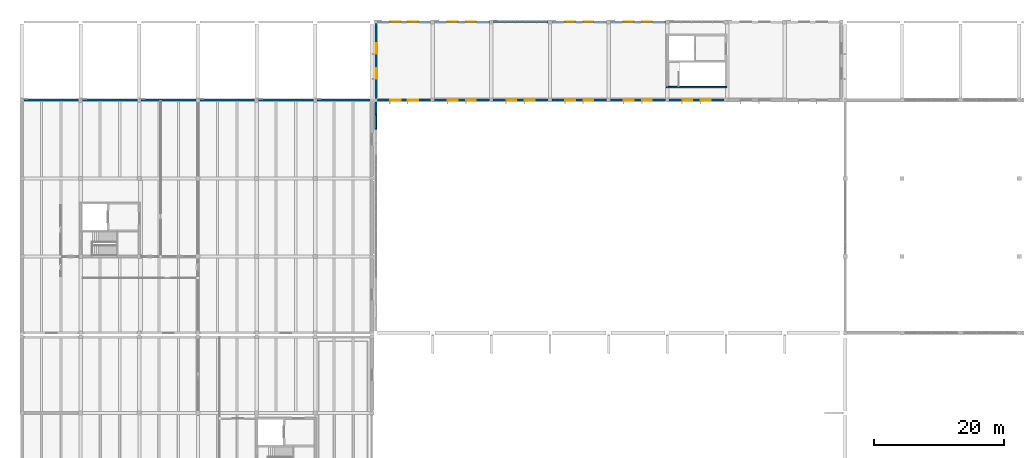
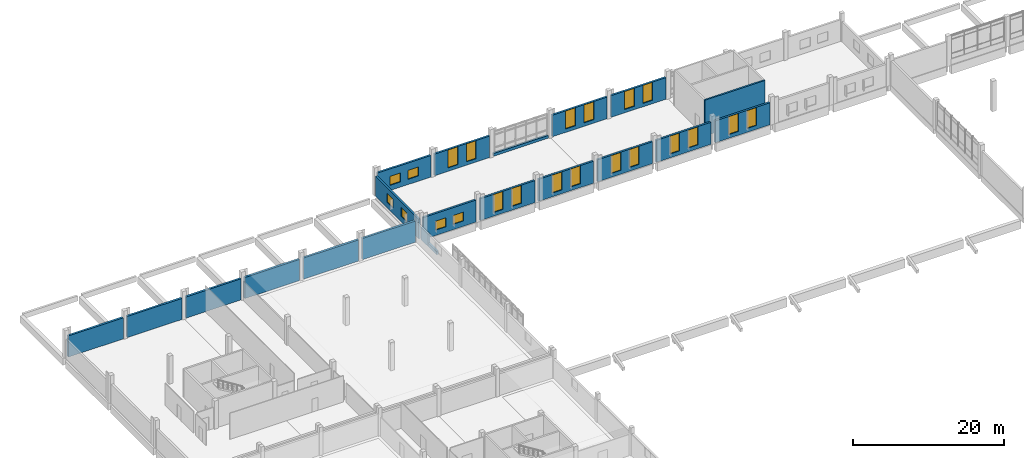
# One storey, part 45 of 63: 22 windows, 21 walls, 22 openings.
"""IFC4 building model written with IfcOpenShell, lengths in metres."""

import ifcopenshell
import ifcopenshell.guid

model = None  # the IFC model being written
_history = None  # IfcOwnerHistory: only IFC2X3 demands one
_inside = {}  # id of a spatial element -> (the spatial element, [elements in it])
_under = {}  # id of a project, library or spatial element -> (it, [spatial elements below it])
_declared = {}  # id of a project -> (the project, [libraries it declares])
_typed = {}  # id of a type object -> (the type object, [elements of that type])
_made_of = {}  # id of a material, layer set ... -> (it, [elements and type objects made of it])


def new_model(schema):
    """Start an empty IFC model of exactly this schema.

    Asked for "IFC4X3", IfcOpenShell would pick the latest addendum, in which some entities
    have other attributes; the version numbers below select the first issue.
    IFC2X3 requires an IfcOwnerHistory on every rooted entity: one is made here for all.
    """
    global model, _history
    if schema == "IFC4X3":
        model = ifcopenshell.file(schema_version=(4, 3, 0, 0))
    else:
        model = ifcopenshell.file(schema=schema)
    _inside.clear()
    _under.clear()
    _declared.clear()
    _typed.clear()
    _made_of.clear()
    _history = None
    if model.schema == "IFC2X3":
        org = make("IfcOrganization", Name="unknown")
        user = make(
            "IfcPersonAndOrganization",
            ThePerson=make("IfcPerson", FamilyName="unknown"),
            TheOrganization=org,
        )
        app = make(
            "IfcApplication",
            ApplicationDeveloper=org,
            Version="unknown",
            ApplicationFullName="unknown",
            ApplicationIdentifier="unknown",
        )
        _history = make(
            "IfcOwnerHistory",
            OwningUser=user,
            OwningApplication=app,
            ChangeAction="ADDED",
            CreationDate=0,
        )
    return model


def make(cls, **values):
    """One entity of the class cls with the attributes given. An attribute that is None is left unset."""
    return model.create_entity(
        cls, **{name: value for name, value in values.items() if value is not None}
    )


def rooted(cls, **values):
    """An entity with a GlobalId (a new one), such as an element, a storey or a relation."""
    return make(cls, GlobalId=ifcopenshell.guid.new(), OwnerHistory=_history, **values)


def si_unit(unit_type, name, prefix=None):
    """IfcSIUnit, for example si_unit("LENGTHUNIT", "METRE", prefix="MILLI")."""
    return make("IfcSIUnit", UnitType=unit_type, Prefix=prefix, Name=name)


def assignment(units):
    """IfcUnitAssignment: the units of a project."""
    return None if units is None else make("IfcUnitAssignment", Units=units)


def point(xyz):
    """IfcCartesianPoint."""
    return None if xyz is None else make("IfcCartesianPoint", Coordinates=xyz)


def direction(xyz):
    """IfcDirection."""
    return None if xyz is None else make("IfcDirection", DirectionRatios=xyz)


def frame(location, z_axis=None, x_axis=None):
    """IfcAxis2Placement3D, a coordinate frame: its origin and axes. An axis left out is left unset."""
    return make(
        "IfcAxis2Placement3D",
        Location=point(location),
        Axis=direction(z_axis),
        RefDirection=direction(x_axis),
    )


def frame_2d(location, x_axis=None):
    """IfcAxis2Placement2D, a coordinate frame in the plane: its origin and x axis."""
    return make(
        "IfcAxis2Placement2D", Location=point(location), RefDirection=direction(x_axis)
    )


def origin():
    """The frame at (0, 0, 0) with its axes left unset."""
    return frame((0.0, 0.0, 0.0))


def place(relative_to, where):
    """IfcLocalPlacement: puts the frame where relative to a parent placement (None: the world)."""
    return make(
        "IfcLocalPlacement", PlacementRelTo=relative_to, RelativePlacement=where
    )


def context(
    kind, dimensions, precision=None, world=None, true_north=None, identifier=None
):
    """IfcGeometricRepresentationContext, for example the 3D "Model" context."""
    return make(
        "IfcGeometricRepresentationContext",
        ContextIdentifier=identifier,
        ContextType=kind,
        CoordinateSpaceDimension=dimensions,
        Precision=precision,
        WorldCoordinateSystem=world,
        TrueNorth=true_north,
    )


def subcontext(parent, identifier, kind, view, scale=None):
    """IfcGeometricRepresentationSubContext, for example "Body" below "Model"."""
    return make(
        "IfcGeometricRepresentationSubContext",
        ContextIdentifier=identifier,
        ContextType=kind,
        ParentContext=parent,
        TargetScale=scale,
        TargetView=view,
    )


def project(units=None, contexts=None):
    """IfcProject with its units and contexts."""
    return rooted(
        "IfcProject",
        Name="project",
        RepresentationContexts=contexts,
        UnitsInContext=assignment(units),
    )


def spatial(cls, under=None, at=None, **own):
    """A site, building, storey or space (cls), placed at a placement, below another one or the project."""
    s = rooted(cls, ObjectPlacement=at, **own)
    if under is not None:
        _under.setdefault(under.id(), (under, []))[1].append(s)
    return s


def profile(cls, at=None, kind="AREA", **sizes):
    """A parametric profile (cls). Its sizes go by their IFC names, for example OverallWidth=200.0."""
    return make(cls, ProfileType=kind, Position=at, **sizes)


def rectangle(**sizes):
    """IfcRectangleProfileDef."""
    return profile("IfcRectangleProfileDef", **sizes)


def extrude(swept, where, along, depth):
    """IfcExtrudedAreaSolid: the profile swept, set in the frame where, extruded along a direction by depth."""
    return make(
        "IfcExtrudedAreaSolid",
        SweptArea=swept,
        Position=where,
        ExtrudedDirection=direction(along),
        Depth=depth,
    )


def shape(context_of_items, identifier, shape_type, items):
    """IfcShapeRepresentation: the items that make up one representation, for example the "Body"."""
    return make(
        "IfcShapeRepresentation",
        ContextOfItems=context_of_items,
        RepresentationIdentifier=identifier,
        RepresentationType=shape_type,
        Items=items,
    )


def material(Name=None, Category=None):
    """IfcMaterial."""
    return make("IfcMaterial", Name=Name, Category=Category)


def layer(
    of_material, thickness, ventilated=None, Name=None, Category=None, Priority=None
):
    """IfcMaterialLayer: one layer of a wall or slab, of a material (None: an air gap)."""
    return make(
        "IfcMaterialLayer",
        Material=of_material,
        LayerThickness=thickness,
        IsVentilated=ventilated,
        Name=Name,
        Category=Category,
        Priority=Priority,
    )


def layer_set(layers, Name=None):
    """IfcMaterialLayerSet."""
    return make("IfcMaterialLayerSet", MaterialLayers=layers, LayerSetName=Name)


def made_of(thing, what):
    """Note that an element or type object is made of a material, layer set ...; save() writes the relation."""
    if what is not None:
        _made_of.setdefault(what.id(), (what, []))[1].append(thing)
    return thing


def type_object(cls, material=None, **own):
    """A type object (cls), such as IfcWallType, which elements share."""
    return made_of(rooted(cls, **own), material)


def element(
    cls,
    number,
    at=None,
    inside=None,
    cuts=None,
    type_object=None,
    material=None,
    context=None,
    identifier="Body",
    shape_type=None,
    held_by="IfcProductDefinitionShape",
    body=None,
    shapes=None,
    **own,
):
    """One element of the class cls, such as IfcWall. Its Tag is "e" and its number.

    at: its placement. inside: the storey or other place that contains it. cuts: it is an
    opening in that element (IfcRelVoidsElement). A single representation is given by context,
    identifier, shape_type and body (its items); several are given by shapes. held_by: the class
    of the entity that holds the representations. save() writes the other relations.
    """
    e = rooted(cls, Tag="e%d" % number, ObjectPlacement=at, **own)
    if body is not None:
        shapes = [shape(context, identifier, shape_type, body)]
    if shapes is not None:
        e.Representation = make(held_by, Representations=shapes)
    if inside is not None:
        _inside.setdefault(inside.id(), (inside, []))[1].append(e)
    if cuts is not None:
        rooted(
            "IfcRelVoidsElement", RelatingBuildingElement=cuts, RelatedOpeningElement=e
        )
    if type_object is not None:
        _typed.setdefault(type_object.id(), (type_object, []))[1].append(e)
    return made_of(e, material)


def fill(opening, filler):
    """IfcRelFillsElement: the door or window that sits in an opening."""
    return rooted(
        "IfcRelFillsElement",
        RelatingOpeningElement=opening,
        RelatedBuildingElement=filler,
    )


def aggregate(whole, parts):
    """IfcRelAggregates: a whole, such as a stair, and the parts it consists of."""
    return rooted("IfcRelAggregates", RelatingObject=whole, RelatedObjects=parts)


def save(model, path):
    """Write the relations noted so far, then the file.

    IfcRelAggregates (storeys below a building ...), IfcRelContainedInSpatialStructure (elements
    in a storey), IfcRelDefinesByType, IfcRelAssociatesMaterial and IfcRelDeclares: one each for
    every whole, place, type object, material and project.
    """
    for whole, parts in _under.values():
        aggregate(whole, parts)
    for where, things in _inside.values():
        rooted(
            "IfcRelContainedInSpatialStructure",
            RelatedElements=things,
            RelatingStructure=where,
        )
    for kind, things in _typed.values():
        rooted("IfcRelDefinesByType", RelatedObjects=things, RelatingType=kind)
    for what, things in _made_of.values():
        rooted("IfcRelAssociatesMaterial", RelatedObjects=things, RelatingMaterial=what)
    for by, libraries in _declared.values():
        rooted("IfcRelDeclares", RelatingContext=by, RelatedDefinitions=libraries)
    model.write(path)


model = new_model("IFC4")

# Units and contexts
model_context = context("Model", 3, precision=1e-05, world=origin(), true_north=direction((0.0, 1.0)))
body_context = subcontext(model_context, "Body", "Model", "MODEL_VIEW")
ifc_project = project(units=[si_unit("LENGTHUNIT", "METRE"), si_unit("AREAUNIT", "SQUARE_METRE"), si_unit("VOLUMEUNIT", "CUBIC_METRE"), si_unit("PLANEANGLEUNIT", "RADIAN"), si_unit("MASSUNIT", "GRAM", prefix="KILO")], contexts=[model_context])

# Site, building, storey
site_placement = place(None, origin())
site = spatial("IfcSite", under=ifc_project, at=site_placement, CompositionType="ELEMENT")
building_placement = place(site_placement, origin())
building = spatial("IfcBuilding", under=site, at=building_placement, Name="Zacnel Wholesale Market", CompositionType="ELEMENT")
storey_placement = place(building_placement, frame((0.0, 0.0, 11.199951171875)))
storey = spatial("IfcBuildingStorey", under=building, at=storey_placement, Name="L03", CompositionType="ELEMENT", Elevation=11.199951171875)

# Walls
ifc_material_1 = material(Name="Concrete C40/50", Category="concrete")
ifc_layer_1 = layer(ifc_material_1, 0.25)
ifc_layer_set_1 = layer_set([ifc_layer_1], Name="Concrete C40/50")
wall_type_1 = type_object("IfcWallType", Name="WL-CORE-SW250", PredefinedType="SOLIDWALL", material=ifc_layer_set_1)
wall_1_placement = place(storey_placement, frame((116.875, 134.0, 0.0), z_axis=(0.0, 0.0, 1.0), x_axis=(1.0, 0.0, 0.0)))
element("IfcWall", 1, at=wall_1_placement, inside=storey, type_object=wall_type_1, Name="Core C6 south shear wall L03", PredefinedType="SOLIDWALL", context=body_context, shape_type="SweptSolid", body=[
    extrude(rectangle(XDim=9.25, YDim=0.25, at=frame_2d((4.625, 0.0))), origin(), (0.0, 0.0, 1.0), 5.800048828125),
])
ifc_material_2 = material(Name="Precast concrete C40/50 (insulated sandwich panel)", Category="concrete")
ifc_layer_2 = layer(ifc_material_2, 0.320068359375)
ifc_layer_set_2 = layer_set([ifc_layer_2], Name="Precast concrete C40/50 (insulated sandwich panel)")
wall_type_2 = type_object("IfcWallType", Name="WL-EXT-COLD-320", PredefinedType="SOLIDWALL", material=ifc_layer_set_2)
for number, where, z_axis, x_axis, name in (
    (2, (18.300048828125, 132.0, 0.0), (0.0, 0.0, 1.0), (1.0, 0.0, 0.0), "Exterior wall L03-0355"),
    (3, (27.300048828125, 132.0, 0.0), (0.0, 0.0, 1.0), (1.0, 0.0, 0.0), "Exterior wall L03-0356"),
    (4, (36.300048828125, 132.0, 0.0), (0.0, 0.0, 1.0), (1.0, 0.0, 0.0), "Exterior wall L03-0357"),
    (5, (45.300048828125, 132.0, 0.0), (0.0, 0.0, 1.0), (1.0, 0.0, 0.0), "Exterior wall L03-0358"),
    (6, (54.300048828125, 132.0, 0.0), (0.0, 0.0, 1.0), (1.0, 0.0, 0.0), "Exterior wall L03-0359"),
):
    element("IfcWall", number, at=place(storey_placement, frame(where, z_axis=z_axis, x_axis=x_axis)), inside=storey, type_object=wall_type_2, Name=name, PredefinedType="SOLIDWALL", context=body_context, shape_type="SweptSolid", body=[
        extrude(rectangle(XDim=8.39990234375, YDim=0.320068359375, at=frame_2d((4.199951171875, 0.0))), origin(), (0.0, 0.0, 1.0), 3.420166015625),
    ])
wall_2_placement = place(storey_placement, frame((63.300048828125, 132.0, 0.0), z_axis=(0.0, 0.0, 1.0), x_axis=(1.0, 0.0, 0.0)))
element("IfcWall", 7, at=wall_2_placement, inside=storey, type_object=wall_type_2, Name="Exterior wall L03-0360", PredefinedType="SOLIDWALL", context=body_context, shape_type="SweptSolid", body=[
    extrude(rectangle(XDim=8.125, YDim=0.320068359375, at=frame_2d((4.0625, 0.0))), origin(), (0.0, 0.0, 1.0), 3.420166015625),
])

# Wall, openings, windows
ifc_material_3 = material(Name="Precast concrete C40/50 (Cancun limestone aggregate)", Category="masonry")
ifc_layer_3 = layer(ifc_material_3, 0.300048828125)
ifc_layer_set_3 = layer_set([ifc_layer_3], Name="Precast concrete C40/50 (Cancun limestone aggregate)")
wall_type_3 = type_object("IfcWallType", Name="WL-EXT-LIME-300", PredefinedType="SOLIDWALL", material=ifc_layer_set_3)
wall_3_placement = place(storey_placement, frame((72.574951171875, 132.0, 0.0), z_axis=(0.0, 0.0, 1.0), x_axis=(1.0, 0.0, 0.0)))
wall_3 = element("IfcWall", 8, at=wall_3_placement, inside=storey, type_object=wall_type_3, Name="Exterior wall L03-0401", PredefinedType="SOLIDWALL", context=body_context, shape_type="SweptSolid", body=[
    extrude(rectangle(XDim=8.125, YDim=0.300048828125, at=frame_2d((4.0625, 0.0))), origin(), (0.0, 0.0, 1.0), 3.550048828125),
])
opening_1_placement = place(wall_3_placement, frame((1.907958984375, 0.0, 0.85009765625)))
opening_1 = element("IfcOpeningElement", 9, at=opening_1_placement, cuts=wall_3, Name="Opening W-06", PredefinedType="OPENING", context=body_context, shape_type="SweptSolid", body=[
    extrude(rectangle(XDim=1.60009765625, YDim=1.449951171875, at=frame_2d((0.800048828125, 0.72509765625))), frame((0.0, 0.159912109375, 0.0), z_axis=(0.0, -1.0, 0.0), x_axis=(1.0, 0.0, 0.0)), (0.0, 0.0, 1.0), 0.320068359375),
])
opening_2_placement = place(wall_3_placement, frame((4.616943359375, 0.0, 0.85009765625)))
opening_2 = element("IfcOpeningElement", 10, at=opening_2_placement, cuts=wall_3, Name="Opening W-06", PredefinedType="OPENING", context=body_context, shape_type="SweptSolid", body=[
    extrude(rectangle(XDim=1.60009765625, YDim=1.449951171875, at=frame_2d((0.800048828125, 0.72509765625))), frame((0.0, 0.159912109375, 0.0), z_axis=(0.0, -1.0, 0.0), x_axis=(1.0, 0.0, 0.0)), (0.0, 0.0, 1.0), 0.320068359375),
])
ifc_material_4 = material(Name="Laminated hurricane-impact low-E insulated glass", Category="glass")
window_type_1 = type_object("IfcWindowType", Name="WIN-HIG-1600X1450", PartitioningType="DOUBLE_PANEL_HORIZONTAL", PredefinedType="WINDOW", material=ifc_material_4)
window_1_placement = place(opening_1_placement, origin())
window_1 = element("IfcWindow", 11, at=window_1_placement, inside=storey, type_object=window_type_1, Name="Window L03-0421", OverallHeight=1.449951171875, OverallWidth=1.60009765625, PartitioningType="DOUBLE_PANEL_HORIZONTAL", PredefinedType="WINDOW", context=body_context, shape_type="SweptSolid", body=[
    extrude(rectangle(XDim=1.60009765625, YDim=1.449951171875, at=frame_2d((0.800048828125, 0.72509765625))), frame((0.0, 0.030029296875, 0.0), z_axis=(0.0, -1.0, 0.0), x_axis=(1.0, 0.0, 0.0)), (0.0, 0.0, 1.0), 0.06005859375),
])
fill(opening_1, window_1)
window_2_placement = place(opening_2_placement, origin())
window_2 = element("IfcWindow", 12, at=window_2_placement, inside=storey, type_object=window_type_1, Name="Window L03-0422", OverallHeight=1.449951171875, OverallWidth=1.60009765625, PartitioningType="DOUBLE_PANEL_HORIZONTAL", PredefinedType="WINDOW", context=body_context, shape_type="SweptSolid", body=[
    extrude(rectangle(XDim=1.60009765625, YDim=1.449951171875, at=frame_2d((0.800048828125, 0.72509765625))), frame((0.0, 0.030029296875, 0.0), z_axis=(0.0, -1.0, 0.0), x_axis=(1.0, 0.0, 0.0)), (0.0, 0.0, 1.0), 0.06005859375),
])
fill(opening_2, window_2)

wall_4_placement = place(storey_placement, frame((81.300048828125, 132.0, 0.0), z_axis=(0.0, 0.0, 1.0), x_axis=(1.0, 0.0, 0.0)))
wall_4 = element("IfcWall", 13, at=wall_4_placement, inside=storey, type_object=wall_type_3, Name="Exterior wall L03-0402", PredefinedType="SOLIDWALL", context=body_context, shape_type="SweptSolid", body=[
    extrude(rectangle(XDim=8.39990234375, YDim=0.300048828125, at=frame_2d((4.199951171875, 0.0))), origin(), (0.0, 0.0, 1.0), 3.550048828125),
])
opening_3_placement = place(wall_4_placement, frame((2.050048828125, 0.0, 0.610107421875)))
opening_3 = element("IfcOpeningElement", 14, at=opening_3_placement, cuts=wall_4, Name="Opening W-04", PredefinedType="OPENING", context=body_context, shape_type="SweptSolid", body=[
    extrude(rectangle(XDim=1.5, YDim=2.89990234375, at=frame_2d((0.75, 1.449951171875))), frame((0.0, 0.159912109375, 0.0), z_axis=(0.0, -1.0, 0.0), x_axis=(1.0, 0.0, 0.0)), (0.0, 0.0, 1.0), 0.320068359375),
])
opening_4_placement = place(wall_4_placement, frame((4.85009765625, 0.0, 0.610107421875)))
opening_4 = element("IfcOpeningElement", 15, at=opening_4_placement, cuts=wall_4, Name="Opening W-04", PredefinedType="OPENING", context=body_context, shape_type="SweptSolid", body=[
    extrude(rectangle(XDim=1.5, YDim=2.89990234375, at=frame_2d((0.75, 1.449951171875))), frame((0.0, 0.159912109375, 0.0), z_axis=(0.0, -1.0, 0.0), x_axis=(1.0, 0.0, 0.0)), (0.0, 0.0, 1.0), 0.320068359375),
])
ifc_material_5 = material(Name="Laminated hurricane-impact low-E insulated glass", Category="glass")
window_type_2 = type_object("IfcWindowType", Name="WIN-DEC-1500X2900", PartitioningType="DOUBLE_PANEL_VERTICAL", PredefinedType="WINDOW", material=ifc_material_5)
window_3_placement = place(opening_3_placement, origin())
window_3 = element("IfcWindow", 16, at=window_3_placement, inside=storey, type_object=window_type_2, Name="Window L03-0423", OverallHeight=2.89990234375, OverallWidth=1.5, PartitioningType="DOUBLE_PANEL_VERTICAL", PredefinedType="WINDOW", context=body_context, shape_type="SweptSolid", body=[
    extrude(rectangle(XDim=1.5, YDim=2.89990234375, at=frame_2d((0.75, 1.449951171875))), frame((0.0, 0.030029296875, 0.0), z_axis=(0.0, -1.0, 0.0), x_axis=(1.0, 0.0, 0.0)), (0.0, 0.0, 1.0), 0.06005859375),
])
fill(opening_3, window_3)
window_4_placement = place(opening_4_placement, origin())
window_4 = element("IfcWindow", 17, at=window_4_placement, inside=storey, type_object=window_type_2, Name="Window L03-0424", OverallHeight=2.89990234375, OverallWidth=1.5, PartitioningType="DOUBLE_PANEL_VERTICAL", PredefinedType="WINDOW", context=body_context, shape_type="SweptSolid", body=[
    extrude(rectangle(XDim=1.5, YDim=2.89990234375, at=frame_2d((0.75, 1.449951171875))), frame((0.0, 0.030029296875, 0.0), z_axis=(0.0, -1.0, 0.0), x_axis=(1.0, 0.0, 0.0)), (0.0, 0.0, 1.0), 0.06005859375),
])
fill(opening_4, window_4)

wall_5_placement = place(storey_placement, frame((90.300048828125, 132.0, 0.0), z_axis=(0.0, 0.0, 1.0), x_axis=(1.0, 0.0, 0.0)))
wall_5 = element("IfcWall", 18, at=wall_5_placement, inside=storey, type_object=wall_type_3, Name="Exterior wall L03-0403", PredefinedType="SOLIDWALL", context=body_context, shape_type="SweptSolid", body=[
    extrude(rectangle(XDim=8.39990234375, YDim=0.300048828125, at=frame_2d((4.199951171875, 0.0))), origin(), (0.0, 0.0, 1.0), 3.550048828125),
])
opening_5_placement = place(wall_5_placement, frame((2.050048828125, 0.0, 0.610107421875)))
opening_5 = element("IfcOpeningElement", 19, at=opening_5_placement, cuts=wall_5, Name="Opening W-04", PredefinedType="OPENING", context=body_context, shape_type="SweptSolid", body=[
    extrude(rectangle(XDim=1.5, YDim=2.89990234375, at=frame_2d((0.75, 1.449951171875))), frame((0.0, 0.159912109375, 0.0), z_axis=(0.0, -1.0, 0.0), x_axis=(1.0, 0.0, 0.0)), (0.0, 0.0, 1.0), 0.320068359375),
])
opening_6_placement = place(wall_5_placement, frame((4.85009765625, 0.0, 0.610107421875)))
opening_6 = element("IfcOpeningElement", 20, at=opening_6_placement, cuts=wall_5, Name="Opening W-04", PredefinedType="OPENING", context=body_context, shape_type="SweptSolid", body=[
    extrude(rectangle(XDim=1.5, YDim=2.89990234375, at=frame_2d((0.75, 1.449951171875))), frame((0.0, 0.159912109375, 0.0), z_axis=(0.0, -1.0, 0.0), x_axis=(1.0, 0.0, 0.0)), (0.0, 0.0, 1.0), 0.320068359375),
])
window_5_placement = place(opening_5_placement, origin())
window_5 = element("IfcWindow", 21, at=window_5_placement, inside=storey, type_object=window_type_2, Name="Window L03-0425", OverallHeight=2.89990234375, OverallWidth=1.5, PartitioningType="DOUBLE_PANEL_VERTICAL", PredefinedType="WINDOW", context=body_context, shape_type="SweptSolid", body=[
    extrude(rectangle(XDim=1.5, YDim=2.89990234375, at=frame_2d((0.75, 1.449951171875))), frame((0.0, 0.030029296875, 0.0), z_axis=(0.0, -1.0, 0.0), x_axis=(1.0, 0.0, 0.0)), (0.0, 0.0, 1.0), 0.06005859375),
])
fill(opening_5, window_5)
window_6_placement = place(opening_6_placement, origin())
window_6 = element("IfcWindow", 22, at=window_6_placement, inside=storey, type_object=window_type_2, Name="Window L03-0426", OverallHeight=2.89990234375, OverallWidth=1.5, PartitioningType="DOUBLE_PANEL_VERTICAL", PredefinedType="WINDOW", context=body_context, shape_type="SweptSolid", body=[
    extrude(rectangle(XDim=1.5, YDim=2.89990234375, at=frame_2d((0.75, 1.449951171875))), frame((0.0, 0.030029296875, 0.0), z_axis=(0.0, -1.0, 0.0), x_axis=(1.0, 0.0, 0.0)), (0.0, 0.0, 1.0), 0.06005859375),
])
fill(opening_6, window_6)

wall_6_placement = place(storey_placement, frame((99.300048828125, 132.0, 0.0), z_axis=(0.0, 0.0, 1.0), x_axis=(1.0, 0.0, 0.0)))
wall_6 = element("IfcWall", 23, at=wall_6_placement, inside=storey, type_object=wall_type_3, Name="Exterior wall L03-0404", PredefinedType="SOLIDWALL", context=body_context, shape_type="SweptSolid", body=[
    extrude(rectangle(XDim=8.39990234375, YDim=0.300048828125, at=frame_2d((4.199951171875, 0.0))), origin(), (0.0, 0.0, 1.0), 3.550048828125),
])
opening_7_placement = place(wall_6_placement, frame((2.050048828125, 0.0, 0.610107421875)))
opening_7 = element("IfcOpeningElement", 24, at=opening_7_placement, cuts=wall_6, Name="Opening W-04", PredefinedType="OPENING", context=body_context, shape_type="SweptSolid", body=[
    extrude(rectangle(XDim=1.5, YDim=2.89990234375, at=frame_2d((0.75, 1.449951171875))), frame((0.0, 0.159912109375, 0.0), z_axis=(0.0, -1.0, 0.0), x_axis=(1.0, 0.0, 0.0)), (0.0, 0.0, 1.0), 0.320068359375),
])
opening_8_placement = place(wall_6_placement, frame((4.85009765625, 0.0, 0.610107421875)))
opening_8 = element("IfcOpeningElement", 25, at=opening_8_placement, cuts=wall_6, Name="Opening W-04", PredefinedType="OPENING", context=body_context, shape_type="SweptSolid", body=[
    extrude(rectangle(XDim=1.5, YDim=2.89990234375, at=frame_2d((0.75, 1.449951171875))), frame((0.0, 0.159912109375, 0.0), z_axis=(0.0, -1.0, 0.0), x_axis=(1.0, 0.0, 0.0)), (0.0, 0.0, 1.0), 0.320068359375),
])
window_7_placement = place(opening_7_placement, origin())
window_7 = element("IfcWindow", 26, at=window_7_placement, inside=storey, type_object=window_type_2, Name="Window L03-0427", OverallHeight=2.89990234375, OverallWidth=1.5, PartitioningType="DOUBLE_PANEL_VERTICAL", PredefinedType="WINDOW", context=body_context, shape_type="SweptSolid", body=[
    extrude(rectangle(XDim=1.5, YDim=2.89990234375, at=frame_2d((0.75, 1.449951171875))), frame((0.0, 0.030029296875, 0.0), z_axis=(0.0, -1.0, 0.0), x_axis=(1.0, 0.0, 0.0)), (0.0, 0.0, 1.0), 0.06005859375),
])
fill(opening_7, window_7)
window_8_placement = place(opening_8_placement, origin())
window_8 = element("IfcWindow", 27, at=window_8_placement, inside=storey, type_object=window_type_2, Name="Window L03-0428", OverallHeight=2.89990234375, OverallWidth=1.5, PartitioningType="DOUBLE_PANEL_VERTICAL", PredefinedType="WINDOW", context=body_context, shape_type="SweptSolid", body=[
    extrude(rectangle(XDim=1.5, YDim=2.89990234375, at=frame_2d((0.75, 1.449951171875))), frame((0.0, 0.030029296875, 0.0), z_axis=(0.0, -1.0, 0.0), x_axis=(1.0, 0.0, 0.0)), (0.0, 0.0, 1.0), 0.06005859375),
])
fill(opening_8, window_8)

wall_7_placement = place(storey_placement, frame((108.300048828125, 132.0, 0.0), z_axis=(0.0, 0.0, 1.0), x_axis=(1.0, 0.0, 0.0)))
wall_7 = element("IfcWall", 28, at=wall_7_placement, inside=storey, type_object=wall_type_3, Name="Exterior wall L03-0405", PredefinedType="SOLIDWALL", context=body_context, shape_type="SweptSolid", body=[
    extrude(rectangle(XDim=8.39990234375, YDim=0.300048828125, at=frame_2d((4.199951171875, 0.0))), origin(), (0.0, 0.0, 1.0), 3.550048828125),
])
opening_9_placement = place(wall_7_placement, frame((2.050048828125, 0.0, 0.610107421875)))
opening_9 = element("IfcOpeningElement", 29, at=opening_9_placement, cuts=wall_7, Name="Opening W-04", PredefinedType="OPENING", context=body_context, shape_type="SweptSolid", body=[
    extrude(rectangle(XDim=1.5, YDim=2.89990234375, at=frame_2d((0.75, 1.449951171875))), frame((0.0, 0.159912109375, 0.0), z_axis=(0.0, -1.0, 0.0), x_axis=(1.0, 0.0, 0.0)), (0.0, 0.0, 1.0), 0.320068359375),
])
opening_10_placement = place(wall_7_placement, frame((4.85009765625, 0.0, 0.610107421875)))
opening_10 = element("IfcOpeningElement", 30, at=opening_10_placement, cuts=wall_7, Name="Opening W-04", PredefinedType="OPENING", context=body_context, shape_type="SweptSolid", body=[
    extrude(rectangle(XDim=1.5, YDim=2.89990234375, at=frame_2d((0.75, 1.449951171875))), frame((0.0, 0.159912109375, 0.0), z_axis=(0.0, -1.0, 0.0), x_axis=(1.0, 0.0, 0.0)), (0.0, 0.0, 1.0), 0.320068359375),
])
window_9_placement = place(opening_9_placement, origin())
window_9 = element("IfcWindow", 31, at=window_9_placement, inside=storey, type_object=window_type_2, Name="Window L03-0429", OverallHeight=2.89990234375, OverallWidth=1.5, PartitioningType="DOUBLE_PANEL_VERTICAL", PredefinedType="WINDOW", context=body_context, shape_type="SweptSolid", body=[
    extrude(rectangle(XDim=1.5, YDim=2.89990234375, at=frame_2d((0.75, 1.449951171875))), frame((0.0, 0.030029296875, 0.0), z_axis=(0.0, -1.0, 0.0), x_axis=(1.0, 0.0, 0.0)), (0.0, 0.0, 1.0), 0.06005859375),
])
fill(opening_9, window_9)
window_10_placement = place(opening_10_placement, origin())
window_10 = element("IfcWindow", 32, at=window_10_placement, inside=storey, type_object=window_type_2, Name="Window L03-0430", OverallHeight=2.89990234375, OverallWidth=1.5, PartitioningType="DOUBLE_PANEL_VERTICAL", PredefinedType="WINDOW", context=body_context, shape_type="SweptSolid", body=[
    extrude(rectangle(XDim=1.5, YDim=2.89990234375, at=frame_2d((0.75, 1.449951171875))), frame((0.0, 0.030029296875, 0.0), z_axis=(0.0, -1.0, 0.0), x_axis=(1.0, 0.0, 0.0)), (0.0, 0.0, 1.0), 0.06005859375),
])
fill(opening_10, window_10)

wall_8_placement = place(storey_placement, frame((117.300048828125, 132.0, 0.0), z_axis=(0.0, 0.0, 1.0), x_axis=(1.0, 0.0, 0.0)))
wall_8 = element("IfcWall", 33, at=wall_8_placement, inside=storey, type_object=wall_type_3, Name="Exterior wall L03-0406", PredefinedType="SOLIDWALL", context=body_context, shape_type="SweptSolid", body=[
    extrude(rectangle(XDim=8.39990234375, YDim=0.300048828125, at=frame_2d((4.199951171875, 0.0))), origin(), (0.0, 0.0, 1.0), 3.550048828125),
])
opening_11_placement = place(wall_8_placement, frame((2.050048828125, 0.0, 0.610107421875)))
opening_11 = element("IfcOpeningElement", 34, at=opening_11_placement, cuts=wall_8, Name="Opening W-04", PredefinedType="OPENING", context=body_context, shape_type="SweptSolid", body=[
    extrude(rectangle(XDim=1.5, YDim=2.89990234375, at=frame_2d((0.75, 1.449951171875))), frame((0.0, 0.159912109375, 0.0), z_axis=(0.0, -1.0, 0.0), x_axis=(1.0, 0.0, 0.0)), (0.0, 0.0, 1.0), 0.320068359375),
])
opening_12_placement = place(wall_8_placement, frame((4.85009765625, 0.0, 0.610107421875)))
opening_12 = element("IfcOpeningElement", 35, at=opening_12_placement, cuts=wall_8, Name="Opening W-04", PredefinedType="OPENING", context=body_context, shape_type="SweptSolid", body=[
    extrude(rectangle(XDim=1.5, YDim=2.89990234375, at=frame_2d((0.75, 1.449951171875))), frame((0.0, 0.159912109375, 0.0), z_axis=(0.0, -1.0, 0.0), x_axis=(1.0, 0.0, 0.0)), (0.0, 0.0, 1.0), 0.320068359375),
])
window_11_placement = place(opening_11_placement, origin())
window_11 = element("IfcWindow", 36, at=window_11_placement, inside=storey, type_object=window_type_2, Name="Window L03-0431", OverallHeight=2.89990234375, OverallWidth=1.5, PartitioningType="DOUBLE_PANEL_VERTICAL", PredefinedType="WINDOW", context=body_context, shape_type="SweptSolid", body=[
    extrude(rectangle(XDim=1.5, YDim=2.89990234375, at=frame_2d((0.75, 1.449951171875))), frame((0.0, 0.030029296875, 0.0), z_axis=(0.0, -1.0, 0.0), x_axis=(1.0, 0.0, 0.0)), (0.0, 0.0, 1.0), 0.06005859375),
])
fill(opening_11, window_11)
window_12_placement = place(opening_12_placement, origin())
window_12 = element("IfcWindow", 37, at=window_12_placement, inside=storey, type_object=window_type_2, Name="Window L03-0432", OverallHeight=2.89990234375, OverallWidth=1.5, PartitioningType="DOUBLE_PANEL_VERTICAL", PredefinedType="WINDOW", context=body_context, shape_type="SweptSolid", body=[
    extrude(rectangle(XDim=1.5, YDim=2.89990234375, at=frame_2d((0.75, 1.449951171875))), frame((0.0, 0.030029296875, 0.0), z_axis=(0.0, -1.0, 0.0), x_axis=(1.0, 0.0, 0.0)), (0.0, 0.0, 1.0), 0.06005859375),
])
fill(opening_12, window_12)

wall_9_placement = place(storey_placement, frame((72.574951171875, 144.0, 0.0), z_axis=(0.0, 0.0, 1.0), x_axis=(1.0, 0.0, 0.0)))
wall_9 = element("IfcWall", 38, at=wall_9_placement, inside=storey, type_object=wall_type_3, Name="Exterior wall L03-0409", PredefinedType="SOLIDWALL", context=body_context, shape_type="SweptSolid", body=[
    extrude(rectangle(XDim=8.125, YDim=0.300048828125, at=frame_2d((4.0625, 0.0))), origin(), (0.0, 0.0, 1.0), 3.5),
])
opening_13_placement = place(wall_9_placement, frame((1.907958984375, 0.0, 0.85009765625)))
opening_13 = element("IfcOpeningElement", 39, at=opening_13_placement, cuts=wall_9, Name="Opening W-06", PredefinedType="OPENING", context=body_context, shape_type="SweptSolid", body=[
    extrude(rectangle(XDim=1.60009765625, YDim=1.449951171875, at=frame_2d((0.800048828125, 0.72509765625))), frame((0.0, 0.159912109375, 0.0), z_axis=(0.0, -1.0, 0.0), x_axis=(1.0, 0.0, 0.0)), (0.0, 0.0, 1.0), 0.320068359375),
])
opening_14_placement = place(wall_9_placement, frame((4.616943359375, 0.0, 0.85009765625)))
opening_14 = element("IfcOpeningElement", 40, at=opening_14_placement, cuts=wall_9, Name="Opening W-06", PredefinedType="OPENING", context=body_context, shape_type="SweptSolid", body=[
    extrude(rectangle(XDim=1.60009765625, YDim=1.449951171875, at=frame_2d((0.800048828125, 0.72509765625))), frame((0.0, 0.159912109375, 0.0), z_axis=(0.0, -1.0, 0.0), x_axis=(1.0, 0.0, 0.0)), (0.0, 0.0, 1.0), 0.320068359375),
])
window_13_placement = place(opening_13_placement, origin())
window_13 = element("IfcWindow", 41, at=window_13_placement, inside=storey, type_object=window_type_1, Name="Window L03-0437", OverallHeight=1.449951171875, OverallWidth=1.60009765625, PartitioningType="DOUBLE_PANEL_HORIZONTAL", PredefinedType="WINDOW", context=body_context, shape_type="SweptSolid", body=[
    extrude(rectangle(XDim=1.60009765625, YDim=1.449951171875, at=frame_2d((0.800048828125, 0.72509765625))), frame((0.0, 0.030029296875, 0.0), z_axis=(0.0, -1.0, 0.0), x_axis=(1.0, 0.0, 0.0)), (0.0, 0.0, 1.0), 0.06005859375),
])
fill(opening_13, window_13)
window_14_placement = place(opening_14_placement, origin())
window_14 = element("IfcWindow", 42, at=window_14_placement, inside=storey, type_object=window_type_1, Name="Window L03-0438", OverallHeight=1.449951171875, OverallWidth=1.60009765625, PartitioningType="DOUBLE_PANEL_HORIZONTAL", PredefinedType="WINDOW", context=body_context, shape_type="SweptSolid", body=[
    extrude(rectangle(XDim=1.60009765625, YDim=1.449951171875, at=frame_2d((0.800048828125, 0.72509765625))), frame((0.0, 0.030029296875, 0.0), z_axis=(0.0, -1.0, 0.0), x_axis=(1.0, 0.0, 0.0)), (0.0, 0.0, 1.0), 0.06005859375),
])
fill(opening_14, window_14)

wall_10_placement = place(storey_placement, frame((81.300048828125, 144.0, 0.0), z_axis=(0.0, 0.0, 1.0), x_axis=(1.0, 0.0, 0.0)))
wall_10 = element("IfcWall", 43, at=wall_10_placement, inside=storey, type_object=wall_type_3, Name="Exterior wall L03-0410", PredefinedType="SOLIDWALL", context=body_context, shape_type="SweptSolid", body=[
    extrude(rectangle(XDim=8.39990234375, YDim=0.300048828125, at=frame_2d((4.199951171875, 0.0))), origin(), (0.0, 0.0, 1.0), 3.5),
])
opening_15_placement = place(wall_10_placement, frame((2.050048828125, 0.0, 0.56005859375)))
opening_15 = element("IfcOpeningElement", 44, at=opening_15_placement, cuts=wall_10, Name="Opening W-04", PredefinedType="OPENING", context=body_context, shape_type="SweptSolid", body=[
    extrude(rectangle(XDim=1.5, YDim=2.89990234375, at=frame_2d((0.75, 1.449951171875))), frame((0.0, 0.159912109375, 0.0), z_axis=(0.0, -1.0, 0.0), x_axis=(1.0, 0.0, 0.0)), (0.0, 0.0, 1.0), 0.320068359375),
])
opening_16_placement = place(wall_10_placement, frame((4.85009765625, 0.0, 0.56005859375)))
opening_16 = element("IfcOpeningElement", 45, at=opening_16_placement, cuts=wall_10, Name="Opening W-04", PredefinedType="OPENING", context=body_context, shape_type="SweptSolid", body=[
    extrude(rectangle(XDim=1.5, YDim=2.89990234375, at=frame_2d((0.75, 1.449951171875))), frame((0.0, 0.159912109375, 0.0), z_axis=(0.0, -1.0, 0.0), x_axis=(1.0, 0.0, 0.0)), (0.0, 0.0, 1.0), 0.320068359375),
])
window_15_placement = place(opening_15_placement, origin())
window_15 = element("IfcWindow", 46, at=window_15_placement, inside=storey, type_object=window_type_2, Name="Window L03-0439", OverallHeight=2.89990234375, OverallWidth=1.5, PartitioningType="DOUBLE_PANEL_VERTICAL", PredefinedType="WINDOW", context=body_context, shape_type="SweptSolid", body=[
    extrude(rectangle(XDim=1.5, YDim=2.89990234375, at=frame_2d((0.75, 1.449951171875))), frame((0.0, 0.030029296875, 0.0), z_axis=(0.0, -1.0, 0.0), x_axis=(1.0, 0.0, 0.0)), (0.0, 0.0, 1.0), 0.06005859375),
])
fill(opening_15, window_15)
window_16_placement = place(opening_16_placement, origin())
window_16 = element("IfcWindow", 47, at=window_16_placement, inside=storey, type_object=window_type_2, Name="Window L03-0440", OverallHeight=2.89990234375, OverallWidth=1.5, PartitioningType="DOUBLE_PANEL_VERTICAL", PredefinedType="WINDOW", context=body_context, shape_type="SweptSolid", body=[
    extrude(rectangle(XDim=1.5, YDim=2.89990234375, at=frame_2d((0.75, 1.449951171875))), frame((0.0, 0.030029296875, 0.0), z_axis=(0.0, -1.0, 0.0), x_axis=(1.0, 0.0, 0.0)), (0.0, 0.0, 1.0), 0.06005859375),
])
fill(opening_16, window_16)

# Wall
wall_11_placement = place(storey_placement, frame((90.300048828125, 144.0, 0.0), z_axis=(0.0, 0.0, 1.0), x_axis=(1.0, 0.0, 0.0)))
element("IfcWall", 48, at=wall_11_placement, inside=storey, type_object=wall_type_3, Name="Curtain-wall limestone plinth L03-0048", PredefinedType="SOLIDWALL", context=body_context, shape_type="SweptSolid", body=[
    extrude(rectangle(XDim=8.39990234375, YDim=0.300048828125, at=frame_2d((4.199951171875, 0.0))), origin(), (0.0, 0.0, 1.0), 0.449951171875),
])

# Wall, openings, windows
wall_12_placement = place(storey_placement, frame((99.300048828125, 144.0, 0.0), z_axis=(0.0, 0.0, 1.0), x_axis=(1.0, 0.0, 0.0)))
wall_12 = element("IfcWall", 49, at=wall_12_placement, inside=storey, type_object=wall_type_3, Name="Exterior wall L03-0411", PredefinedType="SOLIDWALL", context=body_context, shape_type="SweptSolid", body=[
    extrude(rectangle(XDim=8.39990234375, YDim=0.300048828125, at=frame_2d((4.199951171875, 0.0))), origin(), (0.0, 0.0, 1.0), 3.5),
])
opening_17_placement = place(wall_12_placement, frame((2.050048828125, 0.0, 0.56005859375)))
opening_17 = element("IfcOpeningElement", 50, at=opening_17_placement, cuts=wall_12, Name="Opening W-04", PredefinedType="OPENING", context=body_context, shape_type="SweptSolid", body=[
    extrude(rectangle(XDim=1.5, YDim=2.89990234375, at=frame_2d((0.75, 1.449951171875))), frame((0.0, 0.159912109375, 0.0), z_axis=(0.0, -1.0, 0.0), x_axis=(1.0, 0.0, 0.0)), (0.0, 0.0, 1.0), 0.320068359375),
])
opening_18_placement = place(wall_12_placement, frame((4.85009765625, 0.0, 0.56005859375)))
opening_18 = element("IfcOpeningElement", 51, at=opening_18_placement, cuts=wall_12, Name="Opening W-04", PredefinedType="OPENING", context=body_context, shape_type="SweptSolid", body=[
    extrude(rectangle(XDim=1.5, YDim=2.89990234375, at=frame_2d((0.75, 1.449951171875))), frame((0.0, 0.159912109375, 0.0), z_axis=(0.0, -1.0, 0.0), x_axis=(1.0, 0.0, 0.0)), (0.0, 0.0, 1.0), 0.320068359375),
])
window_17_placement = place(opening_17_placement, origin())
window_17 = element("IfcWindow", 52, at=window_17_placement, inside=storey, type_object=window_type_2, Name="Window L03-0441", OverallHeight=2.89990234375, OverallWidth=1.5, PartitioningType="DOUBLE_PANEL_VERTICAL", PredefinedType="WINDOW", context=body_context, shape_type="SweptSolid", body=[
    extrude(rectangle(XDim=1.5, YDim=2.89990234375, at=frame_2d((0.75, 1.449951171875))), frame((0.0, 0.030029296875, 0.0), z_axis=(0.0, -1.0, 0.0), x_axis=(1.0, 0.0, 0.0)), (0.0, 0.0, 1.0), 0.06005859375),
])
fill(opening_17, window_17)
window_18_placement = place(opening_18_placement, origin())
window_18 = element("IfcWindow", 53, at=window_18_placement, inside=storey, type_object=window_type_2, Name="Window L03-0442", OverallHeight=2.89990234375, OverallWidth=1.5, PartitioningType="DOUBLE_PANEL_VERTICAL", PredefinedType="WINDOW", context=body_context, shape_type="SweptSolid", body=[
    extrude(rectangle(XDim=1.5, YDim=2.89990234375, at=frame_2d((0.75, 1.449951171875))), frame((0.0, 0.030029296875, 0.0), z_axis=(0.0, -1.0, 0.0), x_axis=(1.0, 0.0, 0.0)), (0.0, 0.0, 1.0), 0.06005859375),
])
fill(opening_18, window_18)

wall_13_placement = place(storey_placement, frame((108.300048828125, 144.0, 0.0), z_axis=(0.0, 0.0, 1.0), x_axis=(1.0, 0.0, 0.0)))
wall_13 = element("IfcWall", 54, at=wall_13_placement, inside=storey, type_object=wall_type_3, Name="Exterior wall L03-0412", PredefinedType="SOLIDWALL", context=body_context, shape_type="SweptSolid", body=[
    extrude(rectangle(XDim=8.39990234375, YDim=0.300048828125, at=frame_2d((4.199951171875, 0.0))), origin(), (0.0, 0.0, 1.0), 3.5),
])
opening_19_placement = place(wall_13_placement, frame((2.050048828125, 0.0, 0.56005859375)))
opening_19 = element("IfcOpeningElement", 55, at=opening_19_placement, cuts=wall_13, Name="Opening W-04", PredefinedType="OPENING", context=body_context, shape_type="SweptSolid", body=[
    extrude(rectangle(XDim=1.5, YDim=2.89990234375, at=frame_2d((0.75, 1.449951171875))), frame((0.0, 0.159912109375, 0.0), z_axis=(0.0, -1.0, 0.0), x_axis=(1.0, 0.0, 0.0)), (0.0, 0.0, 1.0), 0.320068359375),
])
opening_20_placement = place(wall_13_placement, frame((4.85009765625, 0.0, 0.56005859375)))
opening_20 = element("IfcOpeningElement", 56, at=opening_20_placement, cuts=wall_13, Name="Opening W-04", PredefinedType="OPENING", context=body_context, shape_type="SweptSolid", body=[
    extrude(rectangle(XDim=1.5, YDim=2.89990234375, at=frame_2d((0.75, 1.449951171875))), frame((0.0, 0.159912109375, 0.0), z_axis=(0.0, -1.0, 0.0), x_axis=(1.0, 0.0, 0.0)), (0.0, 0.0, 1.0), 0.320068359375),
])
window_19_placement = place(opening_19_placement, origin())
window_19 = element("IfcWindow", 57, at=window_19_placement, inside=storey, type_object=window_type_2, Name="Window L03-0443", OverallHeight=2.89990234375, OverallWidth=1.5, PartitioningType="DOUBLE_PANEL_VERTICAL", PredefinedType="WINDOW", context=body_context, shape_type="SweptSolid", body=[
    extrude(rectangle(XDim=1.5, YDim=2.89990234375, at=frame_2d((0.75, 1.449951171875))), frame((0.0, 0.030029296875, 0.0), z_axis=(0.0, -1.0, 0.0), x_axis=(1.0, 0.0, 0.0)), (0.0, 0.0, 1.0), 0.06005859375),
])
fill(opening_19, window_19)
window_20_placement = place(opening_20_placement, origin())
window_20 = element("IfcWindow", 58, at=window_20_placement, inside=storey, type_object=window_type_2, Name="Window L03-0444", OverallHeight=2.89990234375, OverallWidth=1.5, PartitioningType="DOUBLE_PANEL_VERTICAL", PredefinedType="WINDOW", context=body_context, shape_type="SweptSolid", body=[
    extrude(rectangle(XDim=1.5, YDim=2.89990234375, at=frame_2d((0.75, 1.449951171875))), frame((0.0, 0.030029296875, 0.0), z_axis=(0.0, -1.0, 0.0), x_axis=(1.0, 0.0, 0.0)), (0.0, 0.0, 1.0), 0.06005859375),
])
fill(opening_20, window_20)

wall_14_placement = place(storey_placement, frame((72.300048828125, 132.27490234375, 0.0), z_axis=(0.0, 0.0, 1.0), x_axis=(0.0, 1.0, 0.0)))
wall_14 = element("IfcWall", 59, at=wall_14_placement, inside=storey, type_object=wall_type_3, Name="Exterior wall L03-0415", PredefinedType="SOLIDWALL", context=body_context, shape_type="SweptSolid", body=[
    extrude(rectangle(XDim=11.4501953125, YDim=0.300048828125, at=frame_2d((5.72509765625, 0.0))), origin(), (0.0, 0.0, 1.0), 3.199951171875),
])
opening_21_placement = place(wall_14_placement, frame((3.01708984375, 0.0, 0.85009765625)))
opening_21 = element("IfcOpeningElement", 60, at=opening_21_placement, cuts=wall_14, Name="Opening W-06", PredefinedType="OPENING", context=body_context, shape_type="SweptSolid", body=[
    extrude(rectangle(XDim=1.60009765625, YDim=1.449951171875, at=frame_2d((0.800048828125, 0.72509765625))), frame((0.0, 0.159912109375, 0.0), z_axis=(0.0, -1.0, 0.0), x_axis=(1.0, 0.0, 0.0)), (0.0, 0.0, 1.0), 0.320068359375),
])
opening_22_placement = place(wall_14_placement, frame((6.8330078125, 0.0, 0.85009765625)))
opening_22 = element("IfcOpeningElement", 61, at=opening_22_placement, cuts=wall_14, Name="Opening W-06", PredefinedType="OPENING", context=body_context, shape_type="SweptSolid", body=[
    extrude(rectangle(XDim=1.60009765625, YDim=1.449951171875, at=frame_2d((0.800048828125, 0.72509765625))), frame((0.0, 0.159912109375, 0.0), z_axis=(0.0, -1.0, 0.0), x_axis=(1.0, 0.0, 0.0)), (0.0, 0.0, 1.0), 0.320068359375),
])
window_21_placement = place(opening_21_placement, origin())
window_21 = element("IfcWindow", 62, at=window_21_placement, inside=storey, type_object=window_type_1, Name="Window L03-0449", OverallHeight=1.449951171875, OverallWidth=1.60009765625, PartitioningType="DOUBLE_PANEL_HORIZONTAL", PredefinedType="WINDOW", context=body_context, shape_type="SweptSolid", body=[
    extrude(rectangle(XDim=1.60009765625, YDim=1.449951171875, at=frame_2d((0.800048828125, 0.72509765625))), frame((0.0, 0.030029296875, 0.0), z_axis=(0.0, -1.0, 0.0), x_axis=(1.0, 0.0, 0.0)), (0.0, 0.0, 1.0), 0.06005859375),
])
fill(opening_21, window_21)
window_22_placement = place(opening_22_placement, origin())
window_22 = element("IfcWindow", 63, at=window_22_placement, inside=storey, type_object=window_type_1, Name="Window L03-0450", OverallHeight=1.449951171875, OverallWidth=1.60009765625, PartitioningType="DOUBLE_PANEL_HORIZONTAL", PredefinedType="WINDOW", context=body_context, shape_type="SweptSolid", body=[
    extrude(rectangle(XDim=1.60009765625, YDim=1.449951171875, at=frame_2d((0.800048828125, 0.72509765625))), frame((0.0, 0.030029296875, 0.0), z_axis=(0.0, -1.0, 0.0), x_axis=(1.0, 0.0, 0.0)), (0.0, 0.0, 1.0), 0.06005859375),
])
fill(opening_22, window_22)

# Walls
wall_15_placement = place(storey_placement, frame((72.300048828125, 127.53759765625, 0.300048828125), z_axis=(0.0, 0.0, 1.0), x_axis=(0.0, 1.0, 0.0)))
element("IfcWall", 64, at=wall_15_placement, inside=storey, type_object=wall_type_3, Name="Barrel-shell gable limestone tympanum NW-W-2 part 3", PredefinedType="SOLIDWALL", context=body_context, shape_type="SweptSolid", body=[
    extrude(rectangle(XDim=2.231201171875, YDim=0.300048828125, at=frame_2d((1.11572265625, 0.0))), origin(), (0.0, 0.0, 1.0), 0.567626953125),
])
wall_16_placement = place(storey_placement, frame((72.300048828125, 129.768798828125, 0.300048828125), z_axis=(0.0, 0.0, 1.0), x_axis=(0.0, 1.0, 0.0)))
element("IfcWall", 65, at=wall_16_placement, inside=storey, type_object=wall_type_3, Name="Barrel-shell gable limestone tympanum NW-W-2 part 4", PredefinedType="SOLIDWALL", context=body_context, shape_type="SweptSolid", body=[
    extrude(rectangle(XDim=1.93115234375, YDim=0.300048828125, at=frame_2d((0.965576171875, 0.0))), origin(), (0.0, 0.0, 1.0), 2.0),
])

save(model, "model.ifc")
